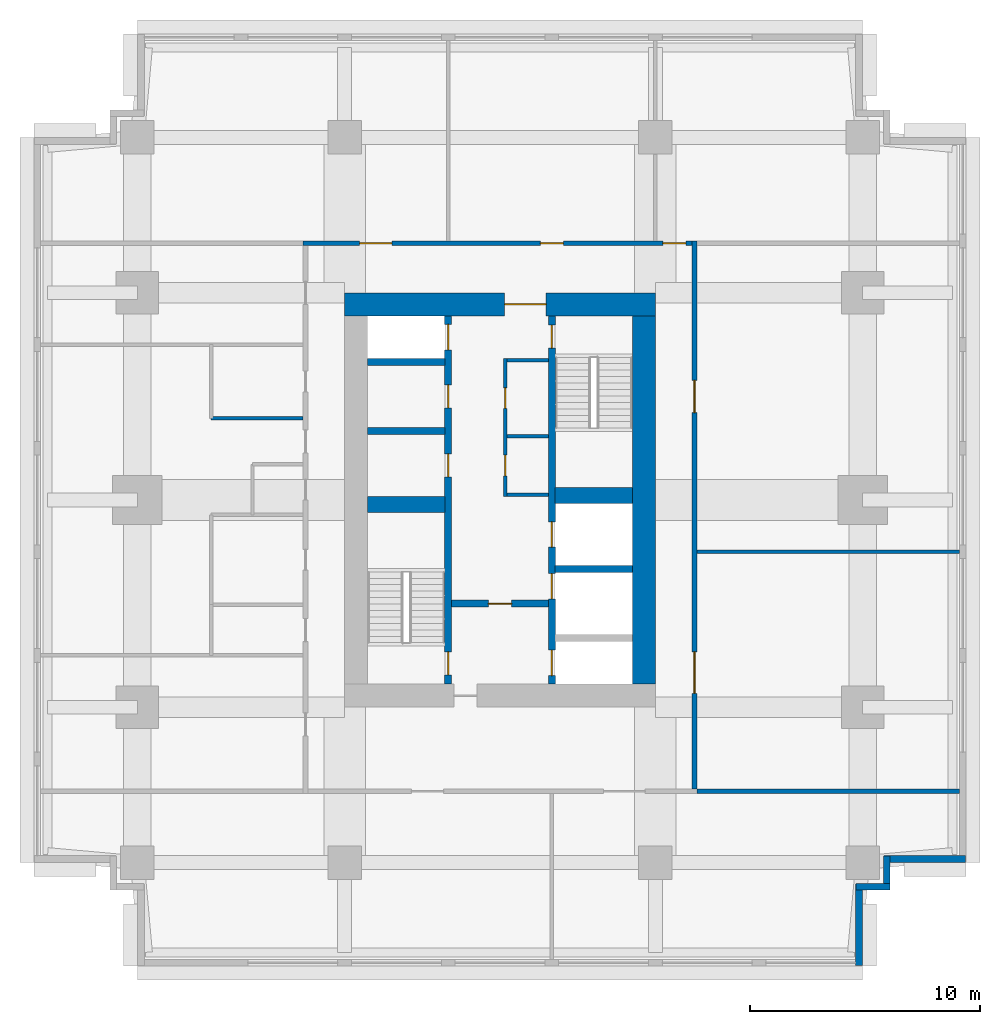
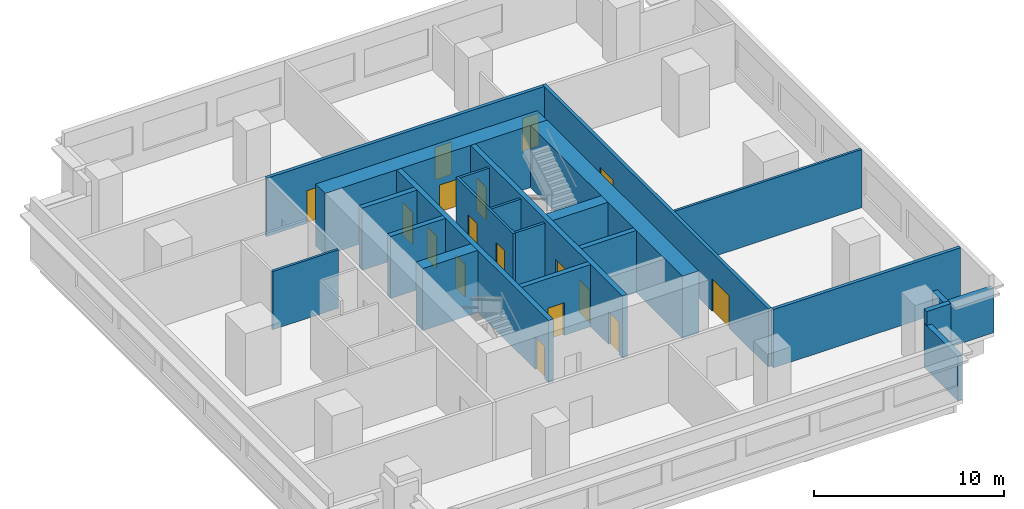
# One storey, part 3 of 5: 23 walls, 17 doors, 17 openings.
"""IFC4 building model written with IfcOpenShell, lengths in metres."""

import ifcopenshell
import ifcopenshell.guid

model = None  # the IFC model being written
_history = None  # IfcOwnerHistory: only IFC2X3 demands one
_inside = {}  # id of a spatial element -> (the spatial element, [elements in it])
_under = {}  # id of a project, library or spatial element -> (it, [spatial elements below it])
_declared = {}  # id of a project -> (the project, [libraries it declares])
_typed = {}  # id of a type object -> (the type object, [elements of that type])
_made_of = {}  # id of a material, layer set ... -> (it, [elements and type objects made of it])


def new_model(schema):
    """Start an empty IFC model of exactly this schema.

    Asked for "IFC4X3", IfcOpenShell would pick the latest addendum, in which some entities
    have other attributes; the version numbers below select the first issue.
    IFC2X3 requires an IfcOwnerHistory on every rooted entity: one is made here for all.
    """
    global model, _history
    if schema == "IFC4X3":
        model = ifcopenshell.file(schema_version=(4, 3, 0, 0))
    else:
        model = ifcopenshell.file(schema=schema)
    _inside.clear()
    _under.clear()
    _declared.clear()
    _typed.clear()
    _made_of.clear()
    _history = None
    if model.schema == "IFC2X3":
        org = make("IfcOrganization", Name="unknown")
        user = make(
            "IfcPersonAndOrganization",
            ThePerson=make("IfcPerson", FamilyName="unknown"),
            TheOrganization=org,
        )
        app = make(
            "IfcApplication",
            ApplicationDeveloper=org,
            Version="unknown",
            ApplicationFullName="unknown",
            ApplicationIdentifier="unknown",
        )
        _history = make(
            "IfcOwnerHistory",
            OwningUser=user,
            OwningApplication=app,
            ChangeAction="ADDED",
            CreationDate=0,
        )
    return model


def make(cls, **values):
    """One entity of the class cls with the attributes given. An attribute that is None is left unset."""
    return model.create_entity(
        cls, **{name: value for name, value in values.items() if value is not None}
    )


def rooted(cls, **values):
    """An entity with a GlobalId (a new one), such as an element, a storey or a relation."""
    return make(cls, GlobalId=ifcopenshell.guid.new(), OwnerHistory=_history, **values)


def si_unit(unit_type, name, prefix=None):
    """IfcSIUnit, for example si_unit("LENGTHUNIT", "METRE", prefix="MILLI")."""
    return make("IfcSIUnit", UnitType=unit_type, Prefix=prefix, Name=name)


def assignment(units):
    """IfcUnitAssignment: the units of a project."""
    return None if units is None else make("IfcUnitAssignment", Units=units)


def point(xyz):
    """IfcCartesianPoint."""
    return None if xyz is None else make("IfcCartesianPoint", Coordinates=xyz)


def direction(xyz):
    """IfcDirection."""
    return None if xyz is None else make("IfcDirection", DirectionRatios=xyz)


def frame(location, z_axis=None, x_axis=None):
    """IfcAxis2Placement3D, a coordinate frame: its origin and axes. An axis left out is left unset."""
    return make(
        "IfcAxis2Placement3D",
        Location=point(location),
        Axis=direction(z_axis),
        RefDirection=direction(x_axis),
    )


def frame_2d(location, x_axis=None):
    """IfcAxis2Placement2D, a coordinate frame in the plane: its origin and x axis."""
    return make(
        "IfcAxis2Placement2D", Location=point(location), RefDirection=direction(x_axis)
    )


def origin():
    """The frame at (0, 0, 0) with its axes left unset."""
    return frame((0.0, 0.0, 0.0))


def place(relative_to, where):
    """IfcLocalPlacement: puts the frame where relative to a parent placement (None: the world)."""
    return make(
        "IfcLocalPlacement", PlacementRelTo=relative_to, RelativePlacement=where
    )


def context(
    kind, dimensions, precision=None, world=None, true_north=None, identifier=None
):
    """IfcGeometricRepresentationContext, for example the 3D "Model" context."""
    return make(
        "IfcGeometricRepresentationContext",
        ContextIdentifier=identifier,
        ContextType=kind,
        CoordinateSpaceDimension=dimensions,
        Precision=precision,
        WorldCoordinateSystem=world,
        TrueNorth=true_north,
    )


def subcontext(parent, identifier, kind, view, scale=None):
    """IfcGeometricRepresentationSubContext, for example "Body" below "Model"."""
    return make(
        "IfcGeometricRepresentationSubContext",
        ContextIdentifier=identifier,
        ContextType=kind,
        ParentContext=parent,
        TargetScale=scale,
        TargetView=view,
    )


def project(units=None, contexts=None):
    """IfcProject with its units and contexts."""
    return rooted(
        "IfcProject",
        Name="project",
        RepresentationContexts=contexts,
        UnitsInContext=assignment(units),
    )


def spatial(cls, under=None, at=None, **own):
    """A site, building, storey or space (cls), placed at a placement, below another one or the project."""
    s = rooted(cls, ObjectPlacement=at, **own)
    if under is not None:
        _under.setdefault(under.id(), (under, []))[1].append(s)
    return s


def profile(cls, at=None, kind="AREA", **sizes):
    """A parametric profile (cls). Its sizes go by their IFC names, for example OverallWidth=200.0."""
    return make(cls, ProfileType=kind, Position=at, **sizes)


def rectangle(**sizes):
    """IfcRectangleProfileDef."""
    return profile("IfcRectangleProfileDef", **sizes)


def extrude(swept, where, along, depth):
    """IfcExtrudedAreaSolid: the profile swept, set in the frame where, extruded along a direction by depth."""
    return make(
        "IfcExtrudedAreaSolid",
        SweptArea=swept,
        Position=where,
        ExtrudedDirection=direction(along),
        Depth=depth,
    )


def shape(context_of_items, identifier, shape_type, items):
    """IfcShapeRepresentation: the items that make up one representation, for example the "Body"."""
    return make(
        "IfcShapeRepresentation",
        ContextOfItems=context_of_items,
        RepresentationIdentifier=identifier,
        RepresentationType=shape_type,
        Items=items,
    )


def material(Name=None, Category=None):
    """IfcMaterial."""
    return make("IfcMaterial", Name=Name, Category=Category)


def layer(
    of_material, thickness, ventilated=None, Name=None, Category=None, Priority=None
):
    """IfcMaterialLayer: one layer of a wall or slab, of a material (None: an air gap)."""
    return make(
        "IfcMaterialLayer",
        Material=of_material,
        LayerThickness=thickness,
        IsVentilated=ventilated,
        Name=Name,
        Category=Category,
        Priority=Priority,
    )


def layer_set(layers, Name=None):
    """IfcMaterialLayerSet."""
    return make("IfcMaterialLayerSet", MaterialLayers=layers, LayerSetName=Name)


def made_of(thing, what):
    """Note that an element or type object is made of a material, layer set ...; save() writes the relation."""
    if what is not None:
        _made_of.setdefault(what.id(), (what, []))[1].append(thing)
    return thing


def type_object(cls, material=None, **own):
    """A type object (cls), such as IfcWallType, which elements share."""
    return made_of(rooted(cls, **own), material)


def element(
    cls,
    number,
    at=None,
    inside=None,
    cuts=None,
    type_object=None,
    material=None,
    context=None,
    identifier="Body",
    shape_type=None,
    held_by="IfcProductDefinitionShape",
    body=None,
    shapes=None,
    **own,
):
    """One element of the class cls, such as IfcWall. Its Tag is "e" and its number.

    at: its placement. inside: the storey or other place that contains it. cuts: it is an
    opening in that element (IfcRelVoidsElement). A single representation is given by context,
    identifier, shape_type and body (its items); several are given by shapes. held_by: the class
    of the entity that holds the representations. save() writes the other relations.
    """
    e = rooted(cls, Tag="e%d" % number, ObjectPlacement=at, **own)
    if body is not None:
        shapes = [shape(context, identifier, shape_type, body)]
    if shapes is not None:
        e.Representation = make(held_by, Representations=shapes)
    if inside is not None:
        _inside.setdefault(inside.id(), (inside, []))[1].append(e)
    if cuts is not None:
        rooted(
            "IfcRelVoidsElement", RelatingBuildingElement=cuts, RelatedOpeningElement=e
        )
    if type_object is not None:
        _typed.setdefault(type_object.id(), (type_object, []))[1].append(e)
    return made_of(e, material)


def fill(opening, filler):
    """IfcRelFillsElement: the door or window that sits in an opening."""
    return rooted(
        "IfcRelFillsElement",
        RelatingOpeningElement=opening,
        RelatedBuildingElement=filler,
    )


def aggregate(whole, parts):
    """IfcRelAggregates: a whole, such as a stair, and the parts it consists of."""
    return rooted("IfcRelAggregates", RelatingObject=whole, RelatedObjects=parts)


def save(model, path):
    """Write the relations noted so far, then the file.

    IfcRelAggregates (storeys below a building ...), IfcRelContainedInSpatialStructure (elements
    in a storey), IfcRelDefinesByType, IfcRelAssociatesMaterial and IfcRelDeclares: one each for
    every whole, place, type object, material and project.
    """
    for whole, parts in _under.values():
        aggregate(whole, parts)
    for where, things in _inside.values():
        rooted(
            "IfcRelContainedInSpatialStructure",
            RelatedElements=things,
            RelatingStructure=where,
        )
    for kind, things in _typed.values():
        rooted("IfcRelDefinesByType", RelatedObjects=things, RelatingType=kind)
    for what, things in _made_of.values():
        rooted("IfcRelAssociatesMaterial", RelatedObjects=things, RelatingMaterial=what)
    for by, libraries in _declared.values():
        rooted("IfcRelDeclares", RelatingContext=by, RelatedDefinitions=libraries)
    model.write(path)


model = new_model("IFC4")

# Units and contexts
model_context = context("Model", 3, precision=1e-05, world=origin(), true_north=direction((0.0, 1.0)))
body_context = subcontext(model_context, "Body", "Model", "MODEL_VIEW")
ifc_project = project(units=[si_unit("LENGTHUNIT", "METRE"), si_unit("AREAUNIT", "SQUARE_METRE"), si_unit("VOLUMEUNIT", "CUBIC_METRE"), si_unit("PLANEANGLEUNIT", "RADIAN"), si_unit("MASSUNIT", "GRAM", prefix="KILO")], contexts=[model_context])

# Site, building, storey
site_placement = place(None, origin())
site = spatial("IfcSite", under=ifc_project, at=site_placement, CompositionType="ELEMENT")
building_placement = place(site_placement, origin())
building = spatial("IfcBuilding", under=site, at=building_placement, Name="Namib Vertical Campus", CompositionType="ELEMENT")
storey_placement = place(building_placement, frame((0.0, 0.0, 265.0)))
storey = spatial("IfcBuildingStorey", under=building, at=storey_placement, Name="L62", CompositionType="ELEMENT", Elevation=265.0)

# Wall, openings, doors
ifc_material_1 = material(Name="Concrete C60/75", Category="concrete")
ifc_layer_1 = layer(ifc_material_1, 0.300048828125)
ifc_layer_set_1 = layer_set([ifc_layer_1], Name="Concrete C60/75")
wall_type_1 = type_object("IfcWallType", Name="Core inner wall 300", PredefinedType="SHEAR", material=ifc_layer_set_1)
wall_1_placement = place(storey_placement, frame((18.0, 12.25, 0.0), z_axis=(0.0, 0.0, 1.0), x_axis=(0.0, 1.0, 0.0)))
wall_1 = element("IfcWall", 1, at=wall_1_placement, inside=storey, type_object=wall_type_1, Name="Core inner wall A L62 W1", PredefinedType="SHEAR", context=body_context, shape_type="SweptSolid", body=[
    extrude(rectangle(XDim=16.0, YDim=0.300048828125, at=frame_2d((8.0, 0.0))), origin(), (0.0, 0.0, 1.0), 4.0),
])
opening_1_placement = place(wall_1_placement, frame((0.39990234375, 0.0, 0.0)))
opening_1 = element("IfcOpeningElement", 2, at=opening_1_placement, cuts=wall_1, Name="Opening FD1", PredefinedType="OPENING", context=body_context, shape_type="SweptSolid", body=[
    extrude(rectangle(XDim=1.0, YDim=2.10009765625, at=frame_2d((0.5, 1.050048828125))), frame((0.0, 0.159912109375, 0.0), z_axis=(0.0, -1.0, 0.0), x_axis=(1.0, 0.0, 0.0)), (0.0, 0.0, 1.0), 0.320068359375),
])
opening_2_placement = place(wall_1_placement, frame((14.52490234375, 0.0, 0.0)))
opening_2 = element("IfcOpeningElement", 3, at=opening_2_placement, cuts=wall_1, Name="Opening LD1", PredefinedType="OPENING", context=body_context, shape_type="SweptSolid", body=[
    extrude(rectangle(XDim=1.10009765625, YDim=2.10009765625, at=frame_2d((0.550048828125, 1.050048828125))), frame((0.0, 0.159912109375, 0.0), z_axis=(0.0, -1.0, 0.0), x_axis=(1.0, 0.0, 0.0)), (0.0, 0.0, 1.0), 0.320068359375),
])
opening_3_placement = place(wall_1_placement, frame((9.0, 0.0, 0.0)))
opening_3 = element("IfcOpeningElement", 4, at=opening_3_placement, cuts=wall_1, Name="Opening D1", PredefinedType="OPENING", context=body_context, shape_type="SweptSolid", body=[
    extrude(rectangle(XDim=1.0, YDim=2.10009765625, at=frame_2d((0.5, 1.050048828125))), frame((0.0, 0.159912109375, 0.0), z_axis=(0.0, -1.0, 0.0), x_axis=(1.0, 0.0, 0.0)), (0.0, 0.0, 1.0), 0.320068359375),
])
opening_4_placement = place(wall_1_placement, frame((12.0, 0.0, 0.0)))
opening_4 = element("IfcOpeningElement", 5, at=opening_4_placement, cuts=wall_1, Name="Opening D1", PredefinedType="OPENING", context=body_context, shape_type="SweptSolid", body=[
    extrude(rectangle(XDim=1.0, YDim=2.10009765625, at=frame_2d((0.5, 1.050048828125))), frame((0.0, 0.159912109375, 0.0), z_axis=(0.0, -1.0, 0.0), x_axis=(1.0, 0.0, 0.0)), (0.0, 0.0, 1.0), 0.320068359375),
])
ifc_material_2 = material(Name="Timber door leaf", Category="wood")
door_type_1 = type_object("IfcDoorType", Name="Door single 1000x2100", OperationType="SINGLE_SWING_LEFT", PredefinedType="DOOR", material=ifc_material_2)
door_1_placement = place(opening_3_placement, origin())
door_1 = element("IfcDoor", 6, at=door_1_placement, inside=storey, type_object=door_type_1, Name="Door D1 Store A L62 P1", OperationType="SINGLE_SWING_LEFT", OverallHeight=2.10009765625, OverallWidth=1.0, PredefinedType="DOOR", context=body_context, shape_type="SweptSolid", body=[
    extrude(rectangle(XDim=1.0, YDim=2.10009765625, at=frame_2d((0.5, 1.050048828125))), frame((0.0, 0.02490234375, 0.0), z_axis=(0.0, -1.0, 0.0), x_axis=(1.0, 0.0, 0.0)), (0.0, 0.0, 1.0), 0.050048828125),
])
fill(opening_3, door_1)
door_2_placement = place(opening_4_placement, origin())
door_2 = element("IfcDoor", 7, at=door_2_placement, inside=storey, type_object=door_type_1, Name="Door D1 Comms room A L62 P2", OperationType="SINGLE_SWING_LEFT", OverallHeight=2.10009765625, OverallWidth=1.0, PredefinedType="DOOR", context=body_context, shape_type="SweptSolid", body=[
    extrude(rectangle(XDim=1.0, YDim=2.10009765625, at=frame_2d((0.5, 1.050048828125))), frame((0.0, 0.02490234375, 0.0), z_axis=(0.0, -1.0, 0.0), x_axis=(1.0, 0.0, 0.0)), (0.0, 0.0, 1.0), 0.050048828125),
])
fill(opening_4, door_2)
ifc_material_3 = material(Name="Steel fire door", Category="steel")
door_type_2 = type_object("IfcDoorType", Name="Fire door 1000x2100", OperationType="SINGLE_SWING_RIGHT", PredefinedType="DOOR", material=ifc_material_3)
door_3_placement = place(opening_1_placement, origin())
door_3 = element("IfcDoor", 8, at=door_3_placement, inside=storey, type_object=door_type_2, Name="Stair door FD1 A L62 S1", OperationType="SINGLE_SWING_LEFT", OverallHeight=2.10009765625, OverallWidth=1.0, PredefinedType="DOOR", context=body_context, shape_type="SweptSolid", body=[
    extrude(rectangle(XDim=1.0, YDim=2.10009765625, at=frame_2d((0.5, 1.050048828125))), frame((0.0, 0.02490234375, 0.0), z_axis=(0.0, -1.0, 0.0), x_axis=(1.0, 0.0, 0.0)), (0.0, 0.0, 1.0), 0.050048828125),
])
fill(opening_1, door_3)
ifc_material_4 = material(Name="Stainless steel lift door", Category="steel")
door_type_3 = type_object("IfcDoorType", Name="Lift landing door 1100x2100", OperationType="DOUBLE_DOOR_SLIDING", PredefinedType="DOOR", material=ifc_material_4)
door_4_placement = place(opening_2_placement, origin())
door_4 = element("IfcDoor", 9, at=door_4_placement, inside=storey, type_object=door_type_3, Name="Lift landing door LD1 A-P3 L62", OperationType="DOUBLE_DOOR_SLIDING", OverallHeight=2.10009765625, OverallWidth=1.10009765625, PredefinedType="DOOR", context=body_context, shape_type="SweptSolid", body=[
    extrude(rectangle(XDim=1.10009765625, YDim=2.10009765625, at=frame_2d((0.550048828125, 1.050048828125))), frame((0.0, 0.02490234375, 0.0), z_axis=(0.0, -1.0, 0.0), x_axis=(1.0, 0.0, 0.0)), (0.0, 0.0, 1.0), 0.050048828125),
])
fill(opening_2, door_4)

wall_2_placement = place(storey_placement, frame((22.5, 12.25, 0.0), z_axis=(0.0, 0.0, 1.0), x_axis=(0.0, 1.0, 0.0)))
wall_2 = element("IfcWall", 10, at=wall_2_placement, inside=storey, type_object=wall_type_1, Name="Core inner wall A L62 W2", PredefinedType="SHEAR", context=body_context, shape_type="SweptSolid", body=[
    extrude(rectangle(XDim=16.0, YDim=0.300048828125, at=frame_2d((8.0, 0.0))), origin(), (0.0, 0.0, 1.0), 4.0),
])
opening_5_placement = place(wall_2_placement, frame((14.60009765625, 0.0, 0.0)))
opening_5 = element("IfcOpeningElement", 11, at=opening_5_placement, cuts=wall_2, Name="Opening FD1", PredefinedType="OPENING", context=body_context, shape_type="SweptSolid", body=[
    extrude(rectangle(XDim=1.0, YDim=2.10009765625, at=frame_2d((0.5, 1.050048828125))), frame((0.0, 0.159912109375, 0.0), z_axis=(0.0, -1.0, 0.0), x_axis=(1.0, 0.0, 0.0)), (0.0, 0.0, 1.0), 0.320068359375),
])
opening_6_placement = place(wall_2_placement, frame((0.375, 0.0, 0.0)))
opening_6 = element("IfcOpeningElement", 12, at=opening_6_placement, cuts=wall_2, Name="Opening LD1", PredefinedType="OPENING", context=body_context, shape_type="SweptSolid", body=[
    extrude(rectangle(XDim=1.10009765625, YDim=2.10009765625, at=frame_2d((0.550048828125, 1.050048828125))), frame((0.0, 0.159912109375, 0.0), z_axis=(0.0, -1.0, 0.0), x_axis=(1.0, 0.0, 0.0)), (0.0, 0.0, 1.0), 0.320068359375),
])
opening_7_placement = place(wall_2_placement, frame((3.699951171875, 0.0, 0.0)))
opening_7 = element("IfcOpeningElement", 13, at=opening_7_placement, cuts=wall_2, Name="Opening LD1", PredefinedType="OPENING", context=body_context, shape_type="SweptSolid", body=[
    extrude(rectangle(XDim=1.10009765625, YDim=2.10009765625, at=frame_2d((0.550048828125, 1.050048828125))), frame((0.0, 0.159912109375, 0.0), z_axis=(0.0, -1.0, 0.0), x_axis=(1.0, 0.0, 0.0)), (0.0, 0.0, 1.0), 0.320068359375),
])
opening_8_placement = place(wall_2_placement, frame((5.949951171875, 0.0, 0.0)))
opening_8 = element("IfcOpeningElement", 14, at=opening_8_placement, cuts=wall_2, Name="Opening LD1", PredefinedType="OPENING", context=body_context, shape_type="SweptSolid", body=[
    extrude(rectangle(XDim=1.10009765625, YDim=2.10009765625, at=frame_2d((0.550048828125, 1.050048828125))), frame((0.0, 0.159912109375, 0.0), z_axis=(0.0, -1.0, 0.0), x_axis=(1.0, 0.0, 0.0)), (0.0, 0.0, 1.0), 0.320068359375),
])
door_5_placement = place(opening_5_placement, frame((1.0, 0.0, 0.0), z_axis=(0.0, 0.0, 1.0), x_axis=(-1.0, 0.0, 0.0)))
door_5 = element("IfcDoor", 15, at=door_5_placement, inside=storey, type_object=door_type_2, Name="Stair door FD1 A L62 S2", OperationType="SINGLE_SWING_LEFT", OverallHeight=2.10009765625, OverallWidth=1.0, PredefinedType="DOOR", context=body_context, shape_type="SweptSolid", body=[
    extrude(rectangle(XDim=1.0, YDim=2.10009765625, at=frame_2d((0.5, 1.050048828125))), frame((0.0, 0.02490234375, 0.0), z_axis=(0.0, -1.0, 0.0), x_axis=(1.0, 0.0, 0.0)), (0.0, 0.0, 1.0), 0.050048828125),
])
fill(opening_5, door_5)
door_6_placement = place(opening_6_placement, origin())
door_6 = element("IfcDoor", 16, at=door_6_placement, inside=storey, type_object=door_type_3, Name="Lift landing door LD1 A-FL1 L62", OperationType="DOUBLE_DOOR_SLIDING", OverallHeight=2.10009765625, OverallWidth=1.10009765625, PredefinedType="DOOR", context=body_context, shape_type="SweptSolid", body=[
    extrude(rectangle(XDim=1.10009765625, YDim=2.10009765625, at=frame_2d((0.550048828125, 1.050048828125))), frame((0.0, 0.02490234375, 0.0), z_axis=(0.0, -1.0, 0.0), x_axis=(1.0, 0.0, 0.0)), (0.0, 0.0, 1.0), 0.050048828125),
])
fill(opening_6, door_6)
door_7_placement = place(opening_7_placement, origin())
door_7 = element("IfcDoor", 17, at=door_7_placement, inside=storey, type_object=door_type_3, Name="Lift landing door LD1 A-P4 L62", OperationType="DOUBLE_DOOR_SLIDING", OverallHeight=2.10009765625, OverallWidth=1.10009765625, PredefinedType="DOOR", context=body_context, shape_type="SweptSolid", body=[
    extrude(rectangle(XDim=1.10009765625, YDim=2.10009765625, at=frame_2d((0.550048828125, 1.050048828125))), frame((0.0, 0.02490234375, 0.0), z_axis=(0.0, -1.0, 0.0), x_axis=(1.0, 0.0, 0.0)), (0.0, 0.0, 1.0), 0.050048828125),
])
fill(opening_7, door_7)
door_8_placement = place(opening_8_placement, origin())
door_8 = element("IfcDoor", 18, at=door_8_placement, inside=storey, type_object=door_type_3, Name="Lift landing door LD1 A-P5 L62", OperationType="DOUBLE_DOOR_SLIDING", OverallHeight=2.10009765625, OverallWidth=1.10009765625, PredefinedType="DOOR", context=body_context, shape_type="SweptSolid", body=[
    extrude(rectangle(XDim=1.10009765625, YDim=2.10009765625, at=frame_2d((0.550048828125, 1.050048828125))), frame((0.0, 0.02490234375, 0.0), z_axis=(0.0, -1.0, 0.0), x_axis=(1.0, 0.0, 0.0)), (0.0, 0.0, 1.0), 0.050048828125),
])
fill(opening_8, door_8)

# Wall, opening, door
wall_3_placement = place(storey_placement, frame((18.14990234375, 15.75, 0.0), z_axis=(0.0, 0.0, 1.0), x_axis=(1.0, 0.0, 0.0)))
wall_3 = element("IfcWall", 19, at=wall_3_placement, inside=storey, type_object=wall_type_1, Name="Core inner wall A L62 W4", PredefinedType="SHEAR", context=body_context, shape_type="SweptSolid", body=[
    extrude(rectangle(XDim=4.2001953125, YDim=0.300048828125, at=frame_2d((2.10009765625, 0.0))), origin(), (0.0, 0.0, 1.0), 4.0),
])
opening_9_placement = place(wall_3_placement, frame((1.60009765625, 0.0, 0.0)))
opening_9 = element("IfcOpeningElement", 20, at=opening_9_placement, cuts=wall_3, Name="Opening FD5", PredefinedType="OPENING", context=body_context, shape_type="SweptSolid", body=[
    extrude(rectangle(XDim=1.0, YDim=2.10009765625, at=frame_2d((0.5, 1.050048828125))), frame((0.0, 0.159912109375, 0.0), z_axis=(0.0, -1.0, 0.0), x_axis=(1.0, 0.0, 0.0)), (0.0, 0.0, 1.0), 0.320068359375),
])
ifc_material_5 = material(Name="Steel fire door", Category="steel")
door_type_4 = type_object("IfcDoorType", Name="Fire door 1000x2100 120 min", OperationType="SINGLE_SWING_RIGHT", PredefinedType="DOOR", material=ifc_material_5)
door_9_placement = place(opening_9_placement, frame((1.0, 0.0, 0.0), z_axis=(0.0, 0.0, 1.0), x_axis=(-1.0, 0.0, 0.0)))
door_9 = element("IfcDoor", 21, at=door_9_placement, inside=storey, type_object=door_type_4, Name="Lobby door FD5 A L62", OperationType="SINGLE_SWING_RIGHT", OverallHeight=2.10009765625, OverallWidth=1.0, PredefinedType="DOOR", context=body_context, shape_type="SweptSolid", body=[
    extrude(rectangle(XDim=1.0, YDim=2.10009765625, at=frame_2d((0.5, 1.050048828125))), frame((0.0, 0.02490234375, 0.0), z_axis=(0.0, -1.0, 0.0), x_axis=(1.0, 0.0, 0.0)), (0.0, 0.0, 1.0), 0.050048828125),
])
fill(opening_9, door_9)

# Walls
for number, where, z_axis, x_axis, name in (
    (22, (22.64990234375, 17.25, 0.0), (0.0, 0.0, 1.0), (1.0, 0.0, 0.0), "Core inner wall A L62 W6"),
    (23, (14.5, 23.25, 0.0), (0.0, 0.0, 1.0), (1.0, 0.0, 0.0), "Core inner wall A L62 W8"),
    (24, (14.5, 26.25, 0.0), (0.0, 0.0, 1.0), (1.0, 0.0, 0.0), "Core inner wall A L62 W9"),
):
    element("IfcWall", number, at=place(storey_placement, frame(where, z_axis=z_axis, x_axis=x_axis)), inside=storey, type_object=wall_type_1, Name=name, PredefinedType="SHEAR", context=body_context, shape_type="SweptSolid", body=[
        extrude(rectangle(XDim=3.35009765625, YDim=0.300048828125, at=frame_2d((1.675048828125, 0.0))), origin(), (0.0, 0.0, 1.0), 4.0),
    ])
ifc_material_6 = material(Name="Concrete C60/75", Category="concrete")
ifc_layer_2 = layer(ifc_material_6, 0.699951171875)
ifc_layer_set_2 = layer_set([ifc_layer_2], Name="Concrete C60/75")
wall_type_2 = type_object("IfcWallType", Name="Core shear wall 700", PredefinedType="SHEAR", material=ifc_layer_set_2)
for number, where, z_axis, x_axis, name in (
    (25, (14.5, 20.050048828125, 0.0), (0.0, 0.0, 1.0), (1.0, 0.0, 0.0), "Core shear wall A L62 W3"),
    (26, (22.64990234375, 20.449951171875, 0.0), (0.0, 0.0, 1.0), (1.0, 0.0, 0.0), "Core shear wall A L62 W7"),
):
    element("IfcWall", number, at=place(storey_placement, frame(where, z_axis=z_axis, x_axis=x_axis)), inside=storey, type_object=wall_type_2, Name=name, PredefinedType="SHEAR", context=body_context, shape_type="SweptSolid", body=[
        extrude(rectangle(XDim=3.35009765625, YDim=0.699951171875, at=frame_2d((1.675048828125, 0.0))), origin(), (0.0, 0.0, 1.0), 4.0),
    ])
ifc_material_7 = material(Name="Concrete C60/75", Category="concrete")
ifc_layer_3 = layer(ifc_material_7, 1.0)
ifc_layer_set_3 = layer_set([ifc_layer_3], Name="Concrete C60/75")
wall_type_3 = type_object("IfcWallType", Name="Core wall 1000", PredefinedType="SHEAR", material=ifc_layer_set_3)
wall_4_placement = place(storey_placement, frame((26.5, 12.25, 0.0), z_axis=(0.0, 0.0, 1.0), x_axis=(0.0, 1.0, 0.0)))
element("IfcWall", 27, at=wall_4_placement, inside=storey, type_object=wall_type_3, Name="Core wall A L62 2", PredefinedType="SHEAR", context=body_context, shape_type="SweptSolid", body=[
    extrude(rectangle(XDim=16.0, YDim=1.0, at=frame_2d((8.0, 0.0))), origin(), (0.0, 0.0, 1.0), 4.0),
])

# Wall, opening, door
wall_5_placement = place(storey_placement, frame((27.0, 28.75, 0.0), z_axis=(0.0, 0.0, 1.0), x_axis=(-1.0, 0.0, 0.0)))
wall_5 = element("IfcWall", 28, at=wall_5_placement, inside=storey, type_object=wall_type_3, Name="Core wall A L62 3", PredefinedType="SHEAR", context=body_context, shape_type="SweptSolid", body=[
    extrude(rectangle(XDim=13.5, YDim=1.0, at=frame_2d((6.75, 0.0))), origin(), (0.0, 0.0, 1.0), 4.0),
])
opening_10_placement = place(wall_5_placement, frame((4.75, 0.0, 0.0)))
opening_10 = element("IfcOpeningElement", 29, at=opening_10_placement, cuts=wall_5, Name="Opening FD2", PredefinedType="OPENING", context=body_context, shape_type="SweptSolid", body=[
    extrude(rectangle(XDim=1.800048828125, YDim=2.10009765625, at=frame_2d((0.89990234375, 1.050048828125))), frame((0.0, 0.510009765625, 0.0), z_axis=(0.0, -1.0, 0.0), x_axis=(1.0, 0.0, 0.0)), (0.0, 0.0, 1.0), 1.02001953125),
])
ifc_material_8 = material(Name="Steel fire door", Category="steel")
door_type_5 = type_object("IfcDoorType", Name="Fire door double 1800x2100", OperationType="DOUBLE_DOOR_SINGLE_SWING", PredefinedType="DOOR", material=ifc_material_8)
door_10_placement = place(opening_10_placement, origin())
door_10 = element("IfcDoor", 30, at=door_10_placement, inside=storey, type_object=door_type_5, Name="Lift lobby door FD2 A L62", OperationType="DOUBLE_DOOR_SINGLE_SWING", OverallHeight=2.10009765625, OverallWidth=1.800048828125, PredefinedType="DOOR", context=body_context, shape_type="SweptSolid", body=[
    extrude(rectangle(XDim=1.800048828125, YDim=2.10009765625, at=frame_2d((0.89990234375, 1.050048828125))), frame((0.0, 0.02490234375, 0.0), z_axis=(0.0, -1.0, 0.0), x_axis=(1.0, 0.0, 0.0)), (0.0, 0.0, 1.0), 0.050048828125),
])
fill(opening_10, door_10)

# Wall, openings, doors
ifc_material_9 = material(Name="Concrete masonry", Category="masonry")
ifc_layer_4 = layer(ifc_material_9, 0.199951171875)
ifc_layer_set_4 = layer_set([ifc_layer_4], Name="Corridor wall 200")
wall_type_4 = type_object("IfcWallType", Name="Corridor wall 200", PredefinedType="SOLIDWALL", material=ifc_layer_set_4)
wall_6_placement = place(storey_placement, frame((28.699951171875, 7.699951171875, 0.0), z_axis=(0.0, 0.0, 1.0), x_axis=(0.0, 1.0, 0.0)))
wall_6 = element("IfcWall", 31, at=wall_6_placement, inside=storey, type_object=wall_type_4, Name="Corridor wall A L62 CE", PredefinedType="SOLIDWALL", context=body_context, shape_type="SweptSolid", body=[
    extrude(rectangle(XDim=23.800048828125, YDim=0.199951171875, at=frame_2d((11.89990234375, 0.0))), origin(), (0.0, 0.0, 1.0), 3.75),
])
opening_11_placement = place(wall_6_placement, frame((4.14990234375, 0.0, 0.0)))
opening_11 = element("IfcOpeningElement", 32, at=opening_11_placement, cuts=wall_6, Name="Opening CD2", PredefinedType="OPENING", context=body_context, shape_type="SweptSolid", body=[
    extrude(rectangle(XDim=1.800048828125, YDim=2.10009765625, at=frame_2d((0.89990234375, 1.050048828125))), frame((0.0, 0.10986328125, 0.0), z_axis=(0.0, -1.0, 0.0), x_axis=(1.0, 0.0, 0.0)), (0.0, 0.0, 1.0), 0.219970703125),
])
opening_12_placement = place(wall_6_placement, frame((16.35009765625, 0.0, 0.0)))
opening_12 = element("IfcOpeningElement", 33, at=opening_12_placement, cuts=wall_6, Name="Opening LB1", PredefinedType="OPENING", context=body_context, shape_type="SweptSolid", body=[
    extrude(rectangle(XDim=1.39990234375, YDim=2.10009765625, at=frame_2d((0.699951171875, 1.050048828125))), frame((0.0, 0.10986328125, 0.0), z_axis=(0.0, -1.0, 0.0), x_axis=(1.0, 0.0, 0.0)), (0.0, 0.0, 1.0), 0.219970703125),
])
ifc_material_10 = material(Name="Timber fire door leaf", Category="wood")
door_type_6 = type_object("IfcDoorType", Name="Corridor door double 1800x2100 20 min", OperationType="DOUBLE_DOOR_SINGLE_SWING", PredefinedType="DOOR", material=ifc_material_10)
door_11_placement = place(opening_11_placement, frame((1.800048828125, 0.0, 0.0), z_axis=(0.0, 0.0, 1.0), x_axis=(-1.0, 0.0, 0.0)))
door_11 = element("IfcDoor", 34, at=door_11_placement, inside=storey, type_object=door_type_6, Name="Door CD2 A62-03", OperationType="DOUBLE_DOOR_SINGLE_SWING", OverallHeight=2.10009765625, OverallWidth=1.800048828125, PredefinedType="DOOR", context=body_context, shape_type="SweptSolid", body=[
    extrude(rectangle(XDim=1.800048828125, YDim=2.10009765625, at=frame_2d((0.89990234375, 1.050048828125))), frame((0.0, 0.02490234375, 0.0), z_axis=(0.0, -1.0, 0.0), x_axis=(1.0, 0.0, 0.0)), (0.0, 0.0, 1.0), 0.050048828125),
])
fill(opening_11, door_11)
ifc_material_11 = material(Name="Timber fire door leaf", Category="wood")
door_type_7 = type_object("IfcDoorType", Name="Laboratory door 1400x2100 leaf and a half", OperationType="DOUBLE_DOOR_SINGLE_SWING", PredefinedType="DOOR", material=ifc_material_11)
door_12_placement = place(opening_12_placement, frame((1.39990234375, 0.0, 0.0), z_axis=(0.0, 0.0, 1.0), x_axis=(-1.0, 0.0, 0.0)))
door_12 = element("IfcDoor", 35, at=door_12_placement, inside=storey, type_object=door_type_7, Name="Door LB1 A62-04", OperationType="DOUBLE_DOOR_SINGLE_SWING", OverallHeight=2.10009765625, OverallWidth=1.39990234375, PredefinedType="DOOR", context=body_context, shape_type="SweptSolid", body=[
    extrude(rectangle(XDim=1.39990234375, YDim=2.10009765625, at=frame_2d((0.699951171875, 1.050048828125))), frame((0.0, 0.02490234375, 0.0), z_axis=(0.0, -1.0, 0.0), x_axis=(1.0, 0.0, 0.0)), (0.0, 0.0, 1.0), 0.050048828125),
])
fill(opening_12, door_12)

wall_7_placement = place(storey_placement, frame((28.60009765625, 31.39990234375, 0.0), z_axis=(0.0, 0.0, 1.0), x_axis=(-1.0, 0.0, 0.0)))
wall_7 = element("IfcWall", 36, at=wall_7_placement, inside=storey, type_object=wall_type_4, Name="Corridor wall A L62 CN", PredefinedType="SOLIDWALL", context=body_context, shape_type="SweptSolid", body=[
    extrude(rectangle(XDim=16.900146484375, YDim=0.199951171875, at=frame_2d((8.4501953125, 0.0))), origin(), (0.0, 0.0, 1.0), 3.75),
])
opening_13_placement = place(wall_7_placement, frame((13.050048828125, 0.0, 0.0)))
opening_13 = element("IfcOpeningElement", 37, at=opening_13_placement, cuts=wall_7, Name="Opening LB1", PredefinedType="OPENING", context=body_context, shape_type="SweptSolid", body=[
    extrude(rectangle(XDim=1.39990234375, YDim=2.10009765625, at=frame_2d((0.699951171875, 1.050048828125))), frame((0.0, 0.10986328125, 0.0), z_axis=(0.0, -1.0, 0.0), x_axis=(1.0, 0.0, 0.0)), (0.0, 0.0, 1.0), 0.219970703125),
])
opening_14_placement = place(wall_7_placement, frame((5.60009765625, 0.0, 0.0)))
opening_14 = element("IfcOpeningElement", 38, at=opening_14_placement, cuts=wall_7, Name="Opening CD1", PredefinedType="OPENING", context=body_context, shape_type="SweptSolid", body=[
    extrude(rectangle(XDim=1.0, YDim=2.10009765625, at=frame_2d((0.5, 1.050048828125))), frame((0.0, 0.10986328125, 0.0), z_axis=(0.0, -1.0, 0.0), x_axis=(1.0, 0.0, 0.0)), (0.0, 0.0, 1.0), 0.219970703125),
])
opening_15_placement = place(wall_7_placement, frame((0.27490234375, 0.0, 0.0)))
opening_15 = element("IfcOpeningElement", 39, at=opening_15_placement, cuts=wall_7, Name="Opening CD1", PredefinedType="OPENING", context=body_context, shape_type="SweptSolid", body=[
    extrude(rectangle(XDim=1.0, YDim=2.10009765625, at=frame_2d((0.5, 1.050048828125))), frame((0.0, 0.10986328125, 0.0), z_axis=(0.0, -1.0, 0.0), x_axis=(1.0, 0.0, 0.0)), (0.0, 0.0, 1.0), 0.219970703125),
])
ifc_material_12 = material(Name="Timber fire door leaf", Category="wood")
door_type_8 = type_object("IfcDoorType", Name="Corridor door 1000x2100 20 min", OperationType="SINGLE_SWING_LEFT", PredefinedType="DOOR", material=ifc_material_12)
door_13_placement = place(opening_14_placement, frame((1.0, 0.0, 0.0), z_axis=(0.0, 0.0, 1.0), x_axis=(-1.0, 0.0, 0.0)))
door_13 = element("IfcDoor", 40, at=door_13_placement, inside=storey, type_object=door_type_8, Name="Door CD1 A62-06", OperationType="SINGLE_SWING_RIGHT", OverallHeight=2.10009765625, OverallWidth=1.0, PredefinedType="DOOR", context=body_context, shape_type="SweptSolid", body=[
    extrude(rectangle(XDim=1.0, YDim=2.10009765625, at=frame_2d((0.5, 1.050048828125))), frame((0.0, 0.02490234375, 0.0), z_axis=(0.0, -1.0, 0.0), x_axis=(1.0, 0.0, 0.0)), (0.0, 0.0, 1.0), 0.050048828125),
])
fill(opening_14, door_13)
door_14_placement = place(opening_15_placement, frame((1.0, 0.0, 0.0), z_axis=(0.0, 0.0, 1.0), x_axis=(-1.0, 0.0, 0.0)))
door_14 = element("IfcDoor", 41, at=door_14_placement, inside=storey, type_object=door_type_8, Name="Door CD1 A62-07", OperationType="SINGLE_SWING_LEFT", OverallHeight=2.10009765625, OverallWidth=1.0, PredefinedType="DOOR", context=body_context, shape_type="SweptSolid", body=[
    extrude(rectangle(XDim=1.0, YDim=2.10009765625, at=frame_2d((0.5, 1.050048828125))), frame((0.0, 0.02490234375, 0.0), z_axis=(0.0, -1.0, 0.0), x_axis=(1.0, 0.0, 0.0)), (0.0, 0.0, 1.0), 0.050048828125),
])
fill(opening_15, door_14)
door_15_placement = place(opening_13_placement, frame((1.39990234375, 0.0, 0.0), z_axis=(0.0, 0.0, 1.0), x_axis=(-1.0, 0.0, 0.0)))
door_15 = element("IfcDoor", 42, at=door_15_placement, inside=storey, type_object=door_type_7, Name="Door LB1 A62-05", OperationType="DOUBLE_DOOR_SINGLE_SWING", OverallHeight=2.10009765625, OverallWidth=1.39990234375, PredefinedType="DOOR", context=body_context, shape_type="SweptSolid", body=[
    extrude(rectangle(XDim=1.39990234375, YDim=2.10009765625, at=frame_2d((0.699951171875, 1.050048828125))), frame((0.0, 0.02490234375, 0.0), z_axis=(0.0, -1.0, 0.0), x_axis=(1.0, 0.0, 0.0)), (0.0, 0.0, 1.0), 0.050048828125),
])
fill(opening_13, door_15)

# Walls
wall_8_placement = place(storey_placement, frame((28.800048828125, 7.60009765625, 0.0), z_axis=(0.0, 0.0, 1.0), x_axis=(1.0, 0.0, 0.0)))
element("IfcWall", 43, at=wall_8_placement, inside=storey, type_object=wall_type_4, Name="Partition A L62 BSE", PredefinedType="SOLIDWALL", context=body_context, shape_type="SweptSolid", body=[
    extrude(rectangle(XDim=11.39990234375, YDim=0.199951171875, at=frame_2d((5.699951171875, 0.0))), origin(), (0.0, 0.0, 1.0), 3.75),
])
ifc_material_13 = material(Name="Concrete C40/50", Category="concrete")
ifc_layer_5 = layer(ifc_material_13, 0.300048828125)
ifc_layer_set_5 = layer_set([ifc_layer_5], Name="Concrete C40/50")
wall_type_5 = type_object("IfcWallType", Name="External wall 300 board-marked concrete", PredefinedType="STANDARD", material=ifc_layer_set_5)
wall_9_placement = place(storey_placement, frame((35.85009765625, 0.02001953125, 0.0), z_axis=(0.0, 0.0, 1.0), x_axis=(0.0, 1.0, 0.0)))
element("IfcWall", 44, at=wall_9_placement, inside=storey, type_object=wall_type_5, Name="External wall L62 F02", PredefinedType="STANDARD", context=body_context, shape_type="SweptSolid", body=[
    extrude(rectangle(XDim=3.56005859375, YDim=0.300048828125, at=frame_2d((1.780029296875, 0.0))), origin(), (0.0, 0.0, 1.0), 2.85009765625),
])
for number, where, z_axis, x_axis, name in (
    (45, (35.719970703125, 3.449951171875, 0.0), (0.0, 0.0, 1.0), (1.0, 0.0, 0.0), "External wall L62 F03"),
    (46, (37.050048828125, 3.320068359375, 0.0), (0.0, 0.0, 1.0), (0.0, 1.0, 0.0), "External wall L62 F04"),
):
    element("IfcWall", number, at=place(storey_placement, frame(where, z_axis=z_axis, x_axis=x_axis)), inside=storey, type_object=wall_type_5, Name=name, PredefinedType="STANDARD", context=body_context, shape_type="SweptSolid", body=[
        extrude(rectangle(XDim=1.4599609375, YDim=0.300048828125, at=frame_2d((0.72998046875, 0.0))), origin(), (0.0, 0.0, 1.0), 3.75),
    ])
wall_10_placement = place(storey_placement, frame((36.919921875, 4.64990234375, 0.0), z_axis=(0.0, 0.0, 1.0), x_axis=(1.0, 0.0, 0.0)))
element("IfcWall", 47, at=wall_10_placement, inside=storey, type_object=wall_type_5, Name="External wall L62 F05", PredefinedType="STANDARD", context=body_context, shape_type="SweptSolid", body=[
    extrude(rectangle(XDim=3.56005859375, YDim=0.300048828125, at=frame_2d((1.780029296875, 0.0))), origin(), (0.0, 0.0, 1.0), 2.85009765625),
])

# Wall, openings, doors
ifc_material_14 = material(Name="Gypsum board on steel studs", Category="steel")
ifc_layer_6 = layer(ifc_material_14, 0.14990234375)
ifc_layer_set_6 = layer_set([ifc_layer_6], Name="Gypsum board on steel studs")
wall_type_6 = type_object("IfcWallType", Name="Partition 150", PredefinedType="PARTITIONING", material=ifc_layer_set_6)
wall_11_placement = place(storey_placement, frame((20.47509765625, 20.39990234375, 0.0), z_axis=(0.0, 0.0, 1.0), x_axis=(0.0, 1.0, 0.0)))
wall_11 = element("IfcWall", 48, at=wall_11_placement, inside=storey, type_object=wall_type_6, Name="Partition A L62 Comms room and Store front", PredefinedType="PARTITIONING", context=body_context, shape_type="SweptSolid", body=[
    extrude(rectangle(XDim=6.0, YDim=0.14990234375, at=frame_2d((3.0, 0.0))), origin(), (0.0, 0.0, 1.0), 3.75),
])
opening_16_placement = place(wall_11_placement, frame((0.89990234375, 0.0, 0.0)))
opening_16 = element("IfcOpeningElement", 49, at=opening_16_placement, cuts=wall_11, Name="Opening D3", PredefinedType="OPENING", context=body_context, shape_type="SweptSolid", body=[
    extrude(rectangle(XDim=0.89990234375, YDim=2.10009765625, at=frame_2d((0.449951171875, 1.050048828125))), frame((0.0, 0.0849609375, 0.0), z_axis=(0.0, -1.0, 0.0), x_axis=(1.0, 0.0, 0.0)), (0.0, 0.0, 1.0), 0.169921875),
])
opening_17_placement = place(wall_11_placement, frame((3.824951171875, 0.0, 0.0)))
opening_17 = element("IfcOpeningElement", 50, at=opening_17_placement, cuts=wall_11, Name="Opening D3", PredefinedType="OPENING", context=body_context, shape_type="SweptSolid", body=[
    extrude(rectangle(XDim=0.89990234375, YDim=2.10009765625, at=frame_2d((0.449951171875, 1.050048828125))), frame((0.0, 0.0849609375, 0.0), z_axis=(0.0, -1.0, 0.0), x_axis=(1.0, 0.0, 0.0)), (0.0, 0.0, 1.0), 0.169921875),
])
ifc_material_15 = material(Name="Timber door leaf", Category="wood")
door_type_9 = type_object("IfcDoorType", Name="Toilet door 900x2100", OperationType="SINGLE_SWING_LEFT", PredefinedType="DOOR", material=ifc_material_15)
door_16_placement = place(opening_16_placement, frame((0.89990234375, 0.0, 0.0), z_axis=(0.0, 0.0, 1.0), x_axis=(-1.0, 0.0, 0.0)))
door_16 = element("IfcDoor", 51, at=door_16_placement, inside=storey, type_object=door_type_9, Name="Door D3 Comms room A L62", OperationType="SINGLE_SWING_RIGHT", OverallHeight=2.10009765625, OverallWidth=0.89990234375, PredefinedType="DOOR", context=body_context, shape_type="SweptSolid", body=[
    extrude(rectangle(XDim=0.89990234375, YDim=2.10009765625, at=frame_2d((0.449951171875, 1.050048828125))), frame((0.0, 0.02490234375, 0.0), z_axis=(0.0, -1.0, 0.0), x_axis=(1.0, 0.0, 0.0)), (0.0, 0.0, 1.0), 0.050048828125),
])
fill(opening_16, door_16)
door_17_placement = place(opening_17_placement, frame((0.89990234375, 0.0, 0.0), z_axis=(0.0, 0.0, 1.0), x_axis=(-1.0, 0.0, 0.0)))
door_17 = element("IfcDoor", 52, at=door_17_placement, inside=storey, type_object=door_type_9, Name="Door D3 Store A L62", OperationType="SINGLE_SWING_RIGHT", OverallHeight=2.10009765625, OverallWidth=0.89990234375, PredefinedType="DOOR", context=body_context, shape_type="SweptSolid", body=[
    extrude(rectangle(XDim=0.89990234375, YDim=2.10009765625, at=frame_2d((0.449951171875, 1.050048828125))), frame((0.0, 0.02490234375, 0.0), z_axis=(0.0, -1.0, 0.0), x_axis=(1.0, 0.0, 0.0)), (0.0, 0.0, 1.0), 0.050048828125),
])
fill(opening_17, door_17)

# Walls
for number, where, z_axis, x_axis, name in (
    (53, (20.550048828125, 20.47509765625, 0.0), (0.0, 0.0, 1.0), (1.0, 0.0, 0.0), "Partition A L62 Comms room and Store end 1"),
    (54, (20.550048828125, 23.02490234375, 0.0), (0.0, 0.0, 1.0), (1.0, 0.0, 0.0), "Partition A L62 Comms room and Store division 2"),
    (55, (20.550048828125, 26.324951171875, 0.0), (0.0, 0.0, 1.0), (1.0, 0.0, 0.0), "Partition A L62 Comms room and Store end 3"),
):
    element("IfcWall", number, at=place(storey_placement, frame(where, z_axis=z_axis, x_axis=x_axis)), inside=storey, type_object=wall_type_6, Name=name, PredefinedType="PARTITIONING", context=body_context, shape_type="SweptSolid", body=[
        extrude(rectangle(XDim=1.800048828125, YDim=0.14990234375, at=frame_2d((0.89990234375, 0.0))), origin(), (0.0, 0.0, 1.0), 3.75),
    ])
wall_12_placement = place(storey_placement, frame((28.800048828125, 18.0, 0.0), z_axis=(0.0, 0.0, 1.0), x_axis=(1.0, 0.0, 0.0)))
element("IfcWall", 56, at=wall_12_placement, inside=storey, type_object=wall_type_6, Name="Partition A L62 PE1", PredefinedType="PARTITIONING", context=body_context, shape_type="SweptSolid", body=[
    extrude(rectangle(XDim=11.39990234375, YDim=0.14990234375, at=frame_2d((5.699951171875, 0.0))), origin(), (0.0, 0.0, 1.0), 3.75),
])
wall_13_placement = place(storey_placement, frame((11.699951171875, 23.800048828125, 0.0), z_axis=(0.0, 0.0, 1.0), x_axis=(-1.0, 0.0, 0.0)))
element("IfcWall", 57, at=wall_13_placement, inside=storey, type_object=wall_type_6, Name="Partition A L62 WR4", PredefinedType="PARTITIONING", context=body_context, shape_type="SweptSolid", body=[
    extrude(rectangle(XDim=4.0, YDim=0.14990234375, at=frame_2d((2.0, 0.0))), origin(), (0.0, 0.0, 1.0), 3.75),
])

save(model, "model.ifc")
